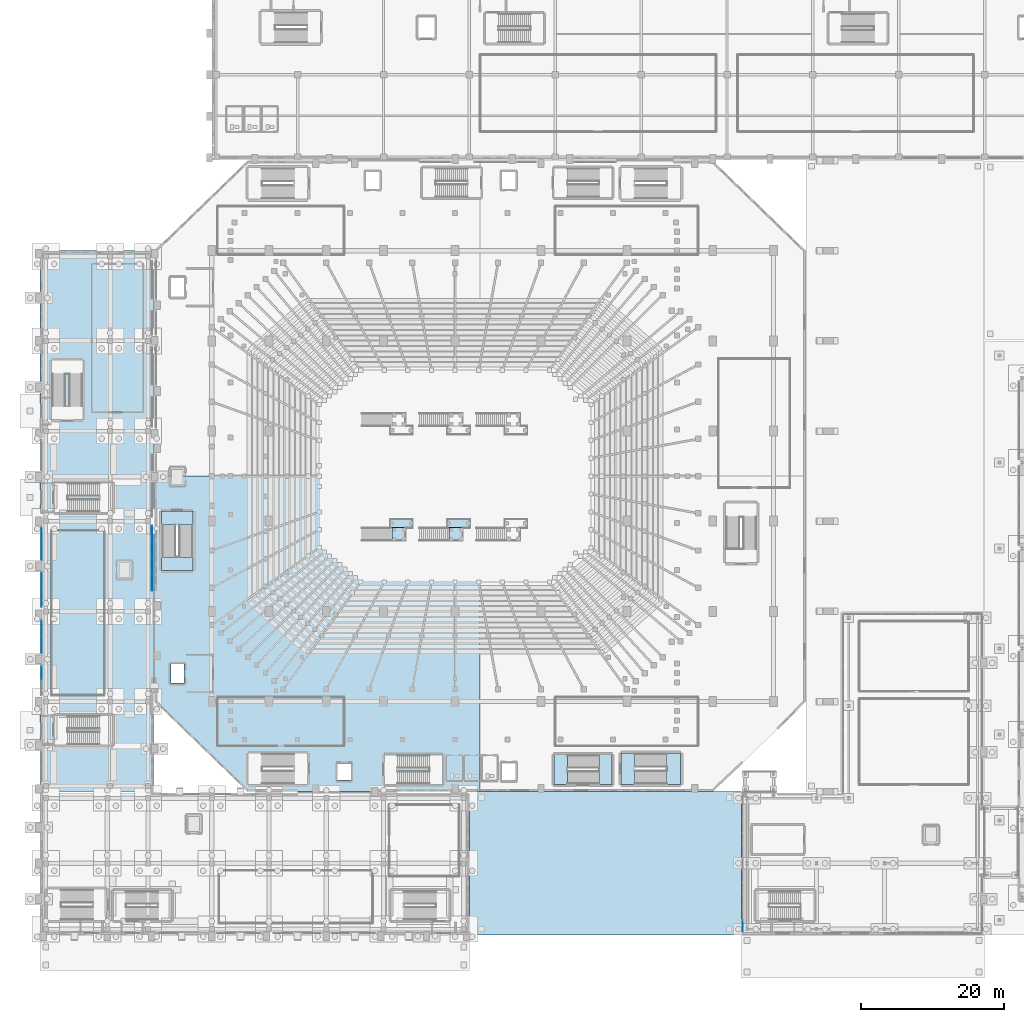
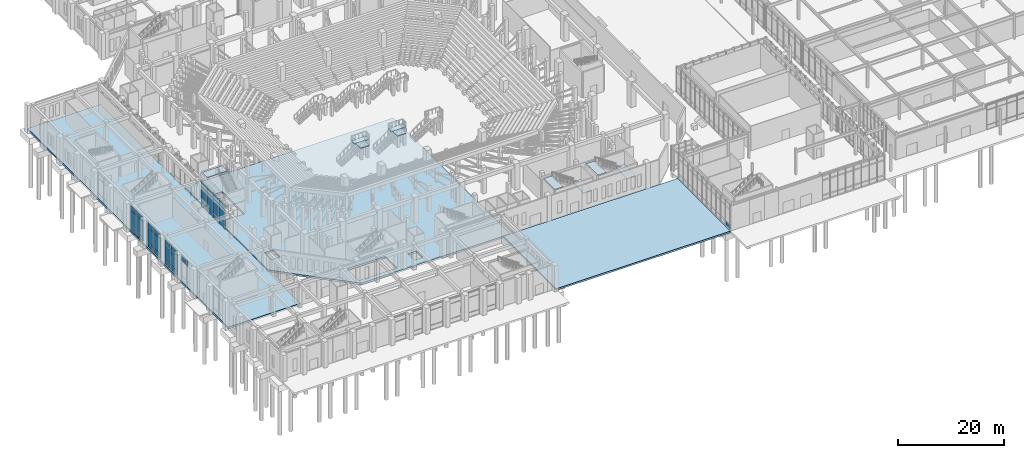
# One storey, part 79 of 143: 32 plates, 13 slabs, 11 elements without a shape of their own.
"""IFC4 building model written with IfcOpenShell, lengths in metres."""

from ifc_helpers import new_model, si_unit, derived_unit, direction, frame, origin, origin_2d, place, context, subcontext, project, spatial, polyline, rectangle, outline, extrude, material, layer, layer_set, type_object, element, aggregate, save


model = new_model("IFC4")

# Units and contexts
model_context = context("Model", 3, precision=1e-05, world=origin(), true_north=direction((0.0, 1.0)))
body_context = subcontext(model_context, "Body", "Model", "MODEL_VIEW")
ifc_project = project(units=[si_unit("LENGTHUNIT", "METRE"), si_unit("AREAUNIT", "SQUARE_METRE"), si_unit("VOLUMEUNIT", "CUBIC_METRE"), si_unit("PLANEANGLEUNIT", "RADIAN"), si_unit("MASSUNIT", "GRAM", prefix="KILO"), derived_unit("THERMALTRANSMITTANCEUNIT", [(si_unit("MASSUNIT", "GRAM", prefix="KILO"), 1), (si_unit("TIMEUNIT", "SECOND"), -3), (si_unit("THERMODYNAMICTEMPERATUREUNIT", "KELVIN"), -1)])], contexts=[model_context])

# Site, building, storey
site_placement = place(None, origin())
site = spatial("IfcSite", under=ifc_project, at=site_placement, CompositionType="ELEMENT")
building_placement = place(site_placement, origin())
building = spatial("IfcBuilding", under=site, at=building_placement, Name="Valcora Ridge Arena", CompositionType="ELEMENT")
storey_placement = place(building_placement, origin())
storey = spatial("IfcBuildingStorey", under=building, at=storey_placement, Name="L00", CompositionType="ELEMENT", Elevation=0.0)

# Stair, slabs
ifc_material_1 = material(Name="Concrete C40/50", Category="concrete")
stair_type_1 = type_object("IfcStairType", Name="TY-STAIR-ES02-60", PredefinedType="HALF_TURN_STAIR", material=ifc_material_1)
stair_1_placement = place(storey_placement, origin())
stair_1 = element("IfcStair", 1, at=stair_1_placement, inside=storey, type_object=stair_type_1, Name="ES02-60 STR-ES-0005", PredefinedType="HALF_TURN_STAIR")
ifc_layer_1 = layer(ifc_material_1, 0.199951171875, Name="Concrete C40/50")
ifc_layer_set_1 = layer_set([ifc_layer_1], Name="Concrete C40/50")
slab_type_1 = type_object("IfcSlabType", Name="TY-LAND-ES02-60", PredefinedType="LANDING", material=ifc_layer_set_1)
slab_1_placement = place(storey_placement, frame((0.0, 0.0, 2.800048828125)))
slab_1 = element("IfcSlab", 2, at=slab_1_placement, type_object=slab_type_1, Name="ES02-60 landing 1", PredefinedType="LANDING", context=body_context, shape_type="SweptSolid", body=[
    extrude(outline(polyline([(78.1201171875, 21.001953125), (79.9580078125, 21.001953125), (79.9580078125, 25.197998046875), (78.1201171875, 25.197998046875), (78.1201171875, 21.001953125)])), origin(), (0.0, 0.0, 1.0), 0.199951171875),
])
slab_2_placement = place(storey_placement, frame((0.0, 0.0, 5.800048828125)))
slab_2 = element("IfcSlab", 3, at=slab_2_placement, type_object=slab_type_1, Name="ES02-60 landing 2", PredefinedType="LANDING", context=body_context, shape_type="SweptSolid", body=[
    extrude(outline(polyline([(71.802001953125, 21.001953125), (73.679931640625, 21.001953125), (73.679931640625, 25.197998046875), (71.802001953125, 25.197998046875), (71.802001953125, 21.001953125)])), origin(), (0.0, 0.0, 1.0), 0.199951171875),
])
aggregate(stair_1, [slab_1, slab_2])

stair_type_2 = type_object("IfcStairType", Name="TY-STAIR-ST02-60", PredefinedType="HALF_TURN_STAIR", material=ifc_material_1)
stair_2_placement = place(storey_placement, origin())
stair_2 = element("IfcStair", 4, at=stair_2_placement, inside=storey, type_object=stair_type_2, Name="ST02-60 STR-CR-0008", PredefinedType="HALF_TURN_STAIR")
ifc_layer_2 = layer(ifc_material_1, 0.199951171875, Name="Concrete C40/50")
ifc_layer_set_2 = layer_set([ifc_layer_2], Name="Concrete C40/50")
slab_type_2 = type_object("IfcSlabType", Name="TY-LAND-ST02-60", PredefinedType="LANDING", material=ifc_layer_set_2)
slab_3_placement = place(storey_placement, frame((0.0, 0.0, 2.800048828125)))
slab_3 = element("IfcSlab", 5, at=slab_3_placement, type_object=slab_type_2, Name="ST02-60 landing 1", PredefinedType="LANDING", context=body_context, shape_type="SweptSolid", body=[
    extrude(outline(polyline([(87.570068359375, 21.001953125), (89.51806640625, 21.001953125), (89.51806640625, 25.39794921875), (87.570068359375, 25.39794921875), (87.570068359375, 21.001953125)])), origin(), (0.0, 0.0, 1.0), 0.199951171875),
])
slab_4_placement = place(storey_placement, frame((0.0, 0.0, 5.800048828125)))
slab_4 = element("IfcSlab", 6, at=slab_4_placement, type_object=slab_type_2, Name="ST02-60 landing 2", PredefinedType="LANDING", context=body_context, shape_type="SweptSolid", body=[
    extrude(outline(polyline([(81.201904296875, 21.001953125), (83.1298828125, 21.001953125), (83.1298828125, 25.39794921875), (81.201904296875, 25.39794921875), (81.201904296875, 21.001953125)])), origin(), (0.0, 0.0, 1.0), 0.199951171875),
])
aggregate(stair_2, [slab_3, slab_4])

stair_type_3 = type_object("IfcStairType", Name="TY-STAIR-ST05-60", PredefinedType="HALF_TURN_STAIR", material=ifc_material_1)
stair_3_placement = place(storey_placement, origin())
stair_3 = element("IfcStair", 7, at=stair_3_placement, inside=storey, type_object=stair_type_3, Name="ST05-60 STR-CR-0024", PredefinedType="HALF_TURN_STAIR")
ifc_layer_3 = layer(ifc_material_1, 0.199951171875, Name="Concrete C40/50")
ifc_layer_set_3 = layer_set([ifc_layer_3], Name="Concrete C40/50")
slab_type_3 = type_object("IfcSlabType", Name="TY-LAND-ST05-60", PredefinedType="LANDING", material=ifc_layer_set_3)
slab_5_placement = place(storey_placement, frame((0.0, 0.0, 2.800048828125)))
slab_5 = element("IfcSlab", 8, at=slab_5_placement, type_object=slab_type_3, Name="ST05-60 landing 1", PredefinedType="LANDING", context=body_context, shape_type="SweptSolid", body=[
    extrude(outline(polyline([(17.001953125, 50.882080078125), (21.39794921875, 50.882080078125), (21.39794921875, 52.830078125), (17.001953125, 52.830078125), (17.001953125, 50.882080078125)])), origin(), (0.0, 0.0, 1.0), 0.199951171875),
])
slab_6_placement = place(storey_placement, frame((0.0, 0.0, 5.800048828125)))
slab_6 = element("IfcSlab", 9, at=slab_6_placement, type_object=slab_type_3, Name="ST05-60 landing 2", PredefinedType="LANDING", context=body_context, shape_type="SweptSolid", body=[
    extrude(outline(polyline([(17.001953125, 57.27001953125), (21.39794921875, 57.27001953125), (21.39794921875, 59.197998046875), (17.001953125, 59.197998046875), (17.001953125, 57.27001953125)])), origin(), (0.0, 0.0, 1.0), 0.199951171875),
])
aggregate(stair_3, [slab_5, slab_6])

# Stair, slab
stair_type_4 = type_object("IfcStairType", Name="TY-STAIR-VS-LOW-280", PredefinedType="STRAIGHT_RUN_STAIR", material=ifc_material_1)
stair_4_placement = place(storey_placement, origin())
stair_4 = element("IfcStair", 10, at=stair_4_placement, inside=storey, type_object=stair_type_4, Name="Vomitory Stair VS-ST1 (VS-LOW-280)", PredefinedType="STRAIGHT_RUN_STAIR")
ifc_layer_4 = layer(ifc_material_1, 0.199951171875, Name="Concrete C40/50")
ifc_layer_set_4 = layer_set([ifc_layer_4], Name="Concrete C40/50")
slab_type_4 = type_object("IfcSlabType", Name="TY-LAND-VS-LOW", PredefinedType="LANDING", material=ifc_layer_set_4)
slab_7_placement = place(storey_placement, frame((0.0, 0.0, 2.60009765625)))
slab_7 = element("IfcSlab", 11, at=slab_7_placement, type_object=slab_type_4, Name="VS-LOW-280 landing 1", PredefinedType="LANDING", context=body_context, shape_type="SweptSolid", body=[
    extrude(outline(polyline([(49.179931640625, 55.10009765625), (51.10009765625, 55.10009765625), (51.10009765625, 56.89990234375), (49.179931640625, 56.89990234375), (49.179931640625, 55.10009765625)])), origin(), (0.0, 0.0, 1.0), 0.199951171875),
])
aggregate(stair_4, [slab_7])

stair_5_placement = place(storey_placement, origin())
stair_5 = element("IfcStair", 12, at=stair_5_placement, inside=storey, type_object=stair_type_4, Name="Vomitory Stair VS-ST2 (VS-LOW-280)", PredefinedType="STRAIGHT_RUN_STAIR")
slab_8_placement = place(storey_placement, frame((0.0, 0.0, 2.60009765625)))
slab_8 = element("IfcSlab", 13, at=slab_8_placement, type_object=slab_type_4, Name="VS-LOW-280 landing 1", PredefinedType="LANDING", context=body_context, shape_type="SweptSolid", body=[
    extrude(outline(polyline([(57.179931640625, 55.10009765625), (59.10009765625, 55.10009765625), (59.10009765625, 56.89990234375), (57.179931640625, 56.89990234375), (57.179931640625, 55.10009765625)])), origin(), (0.0, 0.0, 1.0), 0.199951171875),
])
aggregate(stair_5, [slab_8])

# Curtain wall, plate
ifc_material_2 = material(Name="Anodised dark bronze architectural aluminium 6063-T6", Category="aluminium")
ifc_layer_5 = layer(ifc_material_2, 0.179931640625, Name="Anodised dark bronze architectural aluminium 6063-T6")
ifc_layer_set_5 = layer_set([ifc_layer_5], Name="Anodised dark bronze architectural aluminium 6063-T6")
curtain_wall_type_1 = type_object("IfcCurtainWallType", Name="TY-CURTAINWALL-CW-V3-LANCET-193X56", PredefinedType="NOTDEFINED", material=ifc_layer_set_5)
curtain_wall_1_placement = place(storey_placement, origin())
curtain_wall_1 = element("IfcCurtainWall", 14, at=curtain_wall_1_placement, inside=storey, type_object=curtain_wall_type_1, Name="CW-V3-LANCET-193X56 CW-0010", PredefinedType="NOTDEFINED")
ifc_material_3 = material(Name="Low-iron solar-control double glazing SHGC 0.28", Category="glass")
ifc_layer_6 = layer(ifc_material_3, 0.031982421875, Name="Low-iron solar-control double glazing SHGC 0.28")
ifc_layer_set_6 = layer_set([ifc_layer_6], Name="Low-iron solar-control double glazing SHGC 0.28")
plate_type_1 = type_object("IfcPlateType", Name="TY-PLT-CWP-1665X0960", PredefinedType="CURTAIN_PANEL", material=ifc_layer_set_6)
plate_1_placement = place(storey_placement, frame((98.199951171875, 1.242431640625, 0.06005859375), z_axis=(0.0, 0.0, 1.0), x_axis=(0.0, 1.0, 0.0)))
plate_1 = element("IfcPlate", 15, at=plate_1_placement, type_object=plate_type_1, Name="CW-0010/P00-00", PredefinedType="CURTAIN_PANEL", context=body_context, shape_type="SweptSolid", body=[
    extrude(rectangle(XDim=1.6650390625, YDim=0.031982421875, at=origin_2d()), origin(), (0.0, 0.0, 1.0), 0.9599609375),
])
aggregate(curtain_wall_1, [plate_1])

ifc_layer_7 = layer(ifc_material_2, 0.14990234375, Name="Anodised dark bronze architectural aluminium 6063-T6")
ifc_layer_set_7 = layer_set([ifc_layer_7], Name="Anodised dark bronze architectural aluminium 6063-T6")
curtain_wall_type_2 = type_object("IfcCurtainWallType", Name="TY-CURTAINWALL-CW-V4-CLUB-042X56", PredefinedType="NOTDEFINED", material=ifc_layer_set_7)
curtain_wall_2_placement = place(storey_placement, origin())
curtain_wall_2 = element("IfcCurtainWall", 16, at=curtain_wall_2_placement, inside=storey, type_object=curtain_wall_type_2, Name="CW-V4-CLUB-042X56 CW-0192", PredefinedType="NOTDEFINED")
ifc_layer_8 = layer(ifc_material_3, 0.028076171875, Name="Low-iron solar-control double glazing SHGC 0.28")
ifc_layer_set_8 = layer_set([ifc_layer_8], Name="Low-iron solar-control double glazing SHGC 0.28")
plate_type_2 = type_object("IfcPlateType", Name="TY-PLT-CWP-2035X1025", PredefinedType="CURTAIN_PANEL", material=ifc_layer_set_8)
plate_2_placement = place(storey_placement, frame((0.219970703125, 36.592529296875, 4.56494140625), z_axis=(0.0, 0.0, 1.0), x_axis=(0.0, 1.0, 0.0)))
plate_2 = element("IfcPlate", 17, at=plate_2_placement, type_object=plate_type_2, Name="CW-0192/P01-02", PredefinedType="CURTAIN_PANEL", context=body_context, shape_type="SweptSolid", body=[
    extrude(rectangle(XDim=2.034912109375, YDim=0.028076171875, at=origin_2d()), origin(), (0.0, 0.0, 1.0), 1.02490234375),
])
aggregate(curtain_wall_2, [plate_2])

# Curtain wall, plates
ifc_layer_9 = layer(ifc_material_2, 0.14990234375, Name="Anodised dark bronze architectural aluminium 6063-T6")
ifc_layer_set_9 = layer_set([ifc_layer_9], Name="Anodised dark bronze architectural aluminium 6063-T6")
curtain_wall_type_3 = type_object("IfcCurtainWallType", Name="TY-CURTAINWALL-CW-V4-CLUB-092X56", PredefinedType="NOTDEFINED", material=ifc_layer_set_9)
curtain_wall_3_placement = place(storey_placement, origin())
curtain_wall_3 = element("IfcCurtainWall", 18, at=curtain_wall_3_placement, inside=storey, type_object=curtain_wall_type_3, Name="CW-V4-CLUB-092X56 CW-0197", PredefinedType="NOTDEFINED")
ifc_layer_10 = layer(ifc_material_3, 0.028076171875, Name="Low-iron solar-control double glazing SHGC 0.28")
ifc_layer_set_10 = layer_set([ifc_layer_10], Name="Low-iron solar-control double glazing SHGC 0.28")
plate_type_3 = type_object("IfcPlateType", Name="TY-PLT-CWP-2215X0975", PredefinedType="CURTAIN_PANEL", material=ifc_layer_set_10)
plate_3_placement = place(storey_placement, frame((15.64990234375, 49.20751953125, 0.050048828125), z_axis=(0.0, 0.0, 1.0), x_axis=(0.0, 1.0, 0.0)))
plate_3 = element("IfcPlate", 19, at=plate_3_placement, type_object=plate_type_3, Name="CW-0197/P00-00", PredefinedType="CURTAIN_PANEL", context=body_context, shape_type="SweptSolid", body=[
    extrude(rectangle(XDim=2.215087890625, YDim=0.028076171875, at=origin_2d()), origin(), (0.0, 0.0, 1.0), 0.97509765625),
])
plate_4_placement = place(storey_placement, frame((15.64990234375, 56.052490234375, 0.050048828125), z_axis=(0.0, 0.0, 1.0), x_axis=(0.0, 1.0, 0.0)))
plate_4 = element("IfcPlate", 20, at=plate_4_placement, type_object=plate_type_3, Name="CW-0197/P03-00", PredefinedType="CURTAIN_PANEL", context=body_context, shape_type="SweptSolid", body=[
    extrude(rectangle(XDim=2.215087890625, YDim=0.028076171875, at=origin_2d()), origin(), (0.0, 0.0, 1.0), 0.97509765625),
])
ifc_layer_11 = layer(ifc_material_3, 0.028076171875, Name="Low-iron solar-control double glazing SHGC 0.28")
ifc_layer_set_11 = layer_set([ifc_layer_11], Name="Low-iron solar-control double glazing SHGC 0.28")
plate_type_4 = type_object("IfcPlateType", Name="TY-PLT-CWP-2215X1025", PredefinedType="CURTAIN_PANEL", material=ifc_layer_set_11)
plate_5_placement = place(storey_placement, frame((15.64990234375, 49.20751953125, 4.56494140625), z_axis=(0.0, 0.0, 1.0), x_axis=(0.0, 1.0, 0.0)))
plate_5 = element("IfcPlate", 21, at=plate_5_placement, type_object=plate_type_4, Name="CW-0197/P00-02", PredefinedType="CURTAIN_PANEL", context=body_context, shape_type="SweptSolid", body=[
    extrude(rectangle(XDim=2.215087890625, YDim=0.028076171875, at=origin_2d()), origin(), (0.0, 0.0, 1.0), 1.02490234375),
])
plate_6_placement = place(storey_placement, frame((15.64990234375, 56.052490234375, 4.56494140625), z_axis=(0.0, 0.0, 1.0), x_axis=(0.0, 1.0, 0.0)))
plate_6 = element("IfcPlate", 22, at=plate_6_placement, type_object=plate_type_4, Name="CW-0197/P03-02", PredefinedType="CURTAIN_PANEL", context=body_context, shape_type="SweptSolid", body=[
    extrude(rectangle(XDim=2.215087890625, YDim=0.028076171875, at=origin_2d()), origin(), (0.0, 0.0, 1.0), 1.02490234375),
])
ifc_layer_12 = layer(ifc_material_3, 0.028076171875, Name="Low-iron solar-control double glazing SHGC 0.28")
ifc_layer_set_12 = layer_set([ifc_layer_12], Name="Low-iron solar-control double glazing SHGC 0.28")
plate_type_5 = type_object("IfcPlateType", Name="TY-PLT-CWP-2215X3440", PredefinedType="CURTAIN_PANEL", material=ifc_layer_set_12)
plate_7_placement = place(storey_placement, frame((15.64990234375, 49.20751953125, 1.074951171875), z_axis=(0.0, 0.0, 1.0), x_axis=(0.0, 1.0, 0.0)))
plate_7 = element("IfcPlate", 23, at=plate_7_placement, type_object=plate_type_5, Name="CW-0197/P00-01", PredefinedType="CURTAIN_PANEL", context=body_context, shape_type="SweptSolid", body=[
    extrude(rectangle(XDim=2.215087890625, YDim=0.028076171875, at=origin_2d()), origin(), (0.0, 0.0, 1.0), 3.43994140625),
])
plate_8_placement = place(storey_placement, frame((15.64990234375, 56.052490234375, 1.074951171875), z_axis=(0.0, 0.0, 1.0), x_axis=(0.0, 1.0, 0.0)))
plate_8 = element("IfcPlate", 24, at=plate_8_placement, type_object=plate_type_5, Name="CW-0197/P03-01", PredefinedType="CURTAIN_PANEL", context=body_context, shape_type="SweptSolid", body=[
    extrude(rectangle(XDim=2.215087890625, YDim=0.028076171875, at=origin_2d()), origin(), (0.0, 0.0, 1.0), 3.43994140625),
])

ifc_layer_13 = layer(ifc_material_2, 0.14990234375, Name="Anodised dark bronze architectural aluminium 6063-T6")
ifc_layer_set_13 = layer_set([ifc_layer_13], Name="Anodised dark bronze architectural aluminium 6063-T6")
curtain_wall_type_4 = type_object("IfcCurtainWallType", Name="TY-CURTAINWALL-CW-V4-CLUB-046X56", PredefinedType="NOTDEFINED", material=ifc_layer_set_13)
curtain_wall_4_placement = place(storey_placement, origin())
curtain_wall_4 = element("IfcCurtainWall", 25, at=curtain_wall_4_placement, inside=storey, type_object=curtain_wall_type_4, Name="CW-V4-CLUB-046X56 CW-0193", PredefinedType="NOTDEFINED")
ifc_layer_14 = layer(ifc_material_3, 0.028076171875, Name="Low-iron solar-control double glazing SHGC 0.28")
ifc_layer_set_14 = layer_set([ifc_layer_14], Name="Low-iron solar-control double glazing SHGC 0.28")
plate_type_6 = type_object("IfcPlateType", Name="TY-PLT-CWP-2235X0975", PredefinedType="CURTAIN_PANEL", material=ifc_layer_set_14)
plate_9_placement = place(storey_placement, frame((0.219970703125, 40.507568359375, 0.050048828125), z_axis=(0.0, 0.0, 1.0), x_axis=(0.0, 1.0, 0.0)))
plate_9 = element("IfcPlate", 26, at=plate_9_placement, type_object=plate_type_6, Name="CW-0193/P00-00", PredefinedType="CURTAIN_PANEL", context=body_context, shape_type="SweptSolid", body=[
    extrude(rectangle(XDim=2.235107421875, YDim=0.028076171875, at=origin_2d()), origin(), (0.0, 0.0, 1.0), 0.97509765625),
])
plate_10_placement = place(storey_placement, frame((0.219970703125, 42.79248046875, 0.050048828125), z_axis=(0.0, 0.0, 1.0), x_axis=(0.0, 1.0, 0.0)))
plate_10 = element("IfcPlate", 27, at=plate_10_placement, type_object=plate_type_6, Name="CW-0193/P01-00", PredefinedType="CURTAIN_PANEL", context=body_context, shape_type="SweptSolid", body=[
    extrude(rectangle(XDim=2.235107421875, YDim=0.028076171875, at=origin_2d()), origin(), (0.0, 0.0, 1.0), 0.97509765625),
])

curtain_wall_5_placement = place(storey_placement, origin())
curtain_wall_5 = element("IfcCurtainWall", 28, at=curtain_wall_5_placement, inside=storey, type_object=curtain_wall_type_4, Name="CW-V4-CLUB-046X56 CW-0195", PredefinedType="NOTDEFINED")
plate_11_placement = place(storey_placement, frame((0.219970703125, 53.507568359375, 0.050048828125), z_axis=(0.0, 0.0, 1.0), x_axis=(0.0, 1.0, 0.0)))
plate_11 = element("IfcPlate", 29, at=plate_11_placement, type_object=plate_type_6, Name="CW-0195/P00-00", PredefinedType="CURTAIN_PANEL", context=body_context, shape_type="SweptSolid", body=[
    extrude(rectangle(XDim=2.235107421875, YDim=0.028076171875, at=origin_2d()), origin(), (0.0, 0.0, 1.0), 0.97509765625),
])
plate_12_placement = place(storey_placement, frame((0.219970703125, 55.79248046875, 0.050048828125), z_axis=(0.0, 0.0, 1.0), x_axis=(0.0, 1.0, 0.0)))
plate_12 = element("IfcPlate", 30, at=plate_12_placement, type_object=plate_type_6, Name="CW-0195/P01-00", PredefinedType="CURTAIN_PANEL", context=body_context, shape_type="SweptSolid", body=[
    extrude(rectangle(XDim=2.235107421875, YDim=0.028076171875, at=origin_2d()), origin(), (0.0, 0.0, 1.0), 0.97509765625),
])

# Plate
ifc_layer_15 = layer(ifc_material_3, 0.028076171875, Name="Low-iron solar-control double glazing SHGC 0.28")
ifc_layer_set_15 = layer_set([ifc_layer_15], Name="Low-iron solar-control double glazing SHGC 0.28")
plate_type_7 = type_object("IfcPlateType", Name="TY-PLT-CWP-2235X1025", PredefinedType="CURTAIN_PANEL", material=ifc_layer_set_15)
plate_13_placement = place(storey_placement, frame((0.219970703125, 40.507568359375, 4.56494140625), z_axis=(0.0, 0.0, 1.0), x_axis=(0.0, 1.0, 0.0)))
plate_13 = element("IfcPlate", 31, at=plate_13_placement, type_object=plate_type_7, Name="CW-0193/P00-02", PredefinedType="CURTAIN_PANEL", context=body_context, shape_type="SweptSolid", body=[
    extrude(rectangle(XDim=2.235107421875, YDim=0.028076171875, at=origin_2d()), origin(), (0.0, 0.0, 1.0), 1.02490234375),
])

plate_14_placement = place(storey_placement, frame((0.219970703125, 42.79248046875, 4.56494140625), z_axis=(0.0, 0.0, 1.0), x_axis=(0.0, 1.0, 0.0)))
plate_14 = element("IfcPlate", 32, at=plate_14_placement, type_object=plate_type_7, Name="CW-0193/P01-02", PredefinedType="CURTAIN_PANEL", context=body_context, shape_type="SweptSolid", body=[
    extrude(rectangle(XDim=2.235107421875, YDim=0.028076171875, at=origin_2d()), origin(), (0.0, 0.0, 1.0), 1.02490234375),
])

plate_15_placement = place(storey_placement, frame((0.219970703125, 53.507568359375, 4.56494140625), z_axis=(0.0, 0.0, 1.0), x_axis=(0.0, 1.0, 0.0)))
plate_15 = element("IfcPlate", 33, at=plate_15_placement, type_object=plate_type_7, Name="CW-0195/P00-02", PredefinedType="CURTAIN_PANEL", context=body_context, shape_type="SweptSolid", body=[
    extrude(rectangle(XDim=2.235107421875, YDim=0.028076171875, at=origin_2d()), origin(), (0.0, 0.0, 1.0), 1.02490234375),
])

plate_16_placement = place(storey_placement, frame((0.219970703125, 55.79248046875, 4.56494140625), z_axis=(0.0, 0.0, 1.0), x_axis=(0.0, 1.0, 0.0)))
plate_16 = element("IfcPlate", 34, at=plate_16_placement, type_object=plate_type_7, Name="CW-0195/P01-02", PredefinedType="CURTAIN_PANEL", context=body_context, shape_type="SweptSolid", body=[
    extrude(rectangle(XDim=2.235107421875, YDim=0.028076171875, at=origin_2d()), origin(), (0.0, 0.0, 1.0), 1.02490234375),
])

ifc_layer_16 = layer(ifc_material_3, 0.028076171875, Name="Low-iron solar-control double glazing SHGC 0.28")
ifc_layer_set_16 = layer_set([ifc_layer_16], Name="Low-iron solar-control double glazing SHGC 0.28")
plate_type_8 = type_object("IfcPlateType", Name="TY-PLT-CWP-2235X3440", PredefinedType="CURTAIN_PANEL", material=ifc_layer_set_16)
plate_17_placement = place(storey_placement, frame((0.219970703125, 40.507568359375, 1.074951171875), z_axis=(0.0, 0.0, 1.0), x_axis=(0.0, 1.0, 0.0)))
plate_17 = element("IfcPlate", 35, at=plate_17_placement, type_object=plate_type_8, Name="CW-0193/P00-01", PredefinedType="CURTAIN_PANEL", context=body_context, shape_type="SweptSolid", body=[
    extrude(rectangle(XDim=2.235107421875, YDim=0.028076171875, at=origin_2d()), origin(), (0.0, 0.0, 1.0), 3.43994140625),
])

plate_18_placement = place(storey_placement, frame((0.219970703125, 42.79248046875, 1.074951171875), z_axis=(0.0, 0.0, 1.0), x_axis=(0.0, 1.0, 0.0)))
plate_18 = element("IfcPlate", 36, at=plate_18_placement, type_object=plate_type_8, Name="CW-0193/P01-01", PredefinedType="CURTAIN_PANEL", context=body_context, shape_type="SweptSolid", body=[
    extrude(rectangle(XDim=2.235107421875, YDim=0.028076171875, at=origin_2d()), origin(), (0.0, 0.0, 1.0), 3.43994140625),
])

aggregate(curtain_wall_4, [plate_9, plate_17, plate_13, plate_10, plate_18, plate_14])

plate_19_placement = place(storey_placement, frame((0.219970703125, 53.507568359375, 1.074951171875), z_axis=(0.0, 0.0, 1.0), x_axis=(0.0, 1.0, 0.0)))
plate_19 = element("IfcPlate", 37, at=plate_19_placement, type_object=plate_type_8, Name="CW-0195/P00-01", PredefinedType="CURTAIN_PANEL", context=body_context, shape_type="SweptSolid", body=[
    extrude(rectangle(XDim=2.235107421875, YDim=0.028076171875, at=origin_2d()), origin(), (0.0, 0.0, 1.0), 3.43994140625),
])

plate_20_placement = place(storey_placement, frame((0.219970703125, 55.79248046875, 1.074951171875), z_axis=(0.0, 0.0, 1.0), x_axis=(0.0, 1.0, 0.0)))
plate_20 = element("IfcPlate", 38, at=plate_20_placement, type_object=plate_type_8, Name="CW-0195/P01-01", PredefinedType="CURTAIN_PANEL", context=body_context, shape_type="SweptSolid", body=[
    extrude(rectangle(XDim=2.235107421875, YDim=0.028076171875, at=origin_2d()), origin(), (0.0, 0.0, 1.0), 3.43994140625),
])

aggregate(curtain_wall_5, [plate_11, plate_19, plate_15, plate_12, plate_20, plate_16])

ifc_layer_17 = layer(ifc_material_3, 0.028076171875, Name="Low-iron solar-control double glazing SHGC 0.28")
ifc_layer_set_17 = layer_set([ifc_layer_17], Name="Low-iron solar-control double glazing SHGC 0.28")
plate_type_9 = type_object("IfcPlateType", Name="TY-PLT-CWP-2240X0975", PredefinedType="CURTAIN_PANEL", material=ifc_layer_set_17)
plate_21_placement = place(storey_placement, frame((15.64990234375, 51.485107421875, 0.050048828125), z_axis=(0.0, 0.0, 1.0), x_axis=(0.0, 1.0, 0.0)))
plate_21 = element("IfcPlate", 39, at=plate_21_placement, type_object=plate_type_9, Name="CW-0197/P01-00", PredefinedType="CURTAIN_PANEL", context=body_context, shape_type="SweptSolid", body=[
    extrude(rectangle(XDim=2.239990234375, YDim=0.028076171875, at=origin_2d()), origin(), (0.0, 0.0, 1.0), 0.97509765625),
])

plate_22_placement = place(storey_placement, frame((15.64990234375, 53.77490234375, 0.050048828125), z_axis=(0.0, 0.0, 1.0), x_axis=(0.0, 1.0, 0.0)))
plate_22 = element("IfcPlate", 40, at=plate_22_placement, type_object=plate_type_9, Name="CW-0197/P02-00", PredefinedType="CURTAIN_PANEL", context=body_context, shape_type="SweptSolid", body=[
    extrude(rectangle(XDim=2.239990234375, YDim=0.028076171875, at=origin_2d()), origin(), (0.0, 0.0, 1.0), 0.97509765625),
])

ifc_layer_18 = layer(ifc_material_3, 0.028076171875, Name="Low-iron solar-control double glazing SHGC 0.28")
ifc_layer_set_18 = layer_set([ifc_layer_18], Name="Low-iron solar-control double glazing SHGC 0.28")
plate_type_10 = type_object("IfcPlateType", Name="TY-PLT-CWP-2240X1025", PredefinedType="CURTAIN_PANEL", material=ifc_layer_set_18)
plate_23_placement = place(storey_placement, frame((15.64990234375, 51.485107421875, 4.56494140625), z_axis=(0.0, 0.0, 1.0), x_axis=(0.0, 1.0, 0.0)))
plate_23 = element("IfcPlate", 41, at=plate_23_placement, type_object=plate_type_10, Name="CW-0197/P01-02", PredefinedType="CURTAIN_PANEL", context=body_context, shape_type="SweptSolid", body=[
    extrude(rectangle(XDim=2.239990234375, YDim=0.028076171875, at=origin_2d()), origin(), (0.0, 0.0, 1.0), 1.02490234375),
])

plate_24_placement = place(storey_placement, frame((15.64990234375, 53.77490234375, 4.56494140625), z_axis=(0.0, 0.0, 1.0), x_axis=(0.0, 1.0, 0.0)))
plate_24 = element("IfcPlate", 42, at=plate_24_placement, type_object=plate_type_10, Name="CW-0197/P02-02", PredefinedType="CURTAIN_PANEL", context=body_context, shape_type="SweptSolid", body=[
    extrude(rectangle(XDim=2.239990234375, YDim=0.028076171875, at=origin_2d()), origin(), (0.0, 0.0, 1.0), 1.02490234375),
])

ifc_layer_19 = layer(ifc_material_3, 0.028076171875, Name="Low-iron solar-control double glazing SHGC 0.28")
ifc_layer_set_19 = layer_set([ifc_layer_19], Name="Low-iron solar-control double glazing SHGC 0.28")
plate_type_11 = type_object("IfcPlateType", Name="TY-PLT-CWP-2240X3440", PredefinedType="CURTAIN_PANEL", material=ifc_layer_set_19)
plate_25_placement = place(storey_placement, frame((15.64990234375, 51.485107421875, 1.074951171875), z_axis=(0.0, 0.0, 1.0), x_axis=(0.0, 1.0, 0.0)))
plate_25 = element("IfcPlate", 43, at=plate_25_placement, type_object=plate_type_11, Name="CW-0197/P01-01", PredefinedType="CURTAIN_PANEL", context=body_context, shape_type="SweptSolid", body=[
    extrude(rectangle(XDim=2.239990234375, YDim=0.028076171875, at=origin_2d()), origin(), (0.0, 0.0, 1.0), 3.43994140625),
])

plate_26_placement = place(storey_placement, frame((15.64990234375, 53.77490234375, 1.074951171875), z_axis=(0.0, 0.0, 1.0), x_axis=(0.0, 1.0, 0.0)))
plate_26 = element("IfcPlate", 44, at=plate_26_placement, type_object=plate_type_11, Name="CW-0197/P02-01", PredefinedType="CURTAIN_PANEL", context=body_context, shape_type="SweptSolid", body=[
    extrude(rectangle(XDim=2.239990234375, YDim=0.028076171875, at=origin_2d()), origin(), (0.0, 0.0, 1.0), 3.43994140625),
])

aggregate(curtain_wall_3, [plate_3, plate_7, plate_5, plate_21, plate_25, plate_23, plate_22, plate_26, plate_24, plate_4, plate_8, plate_6])

# Curtain wall, plates
ifc_layer_20 = layer(ifc_material_2, 0.14990234375, Name="Anodised dark bronze architectural aluminium 6063-T6")
ifc_layer_set_20 = layer_set([ifc_layer_20], Name="Anodised dark bronze architectural aluminium 6063-T6")
curtain_wall_type_5 = type_object("IfcCurtainWallType", Name="TY-CURTAINWALL-CW-V4-CLUB-049X56", PredefinedType="NOTDEFINED", material=ifc_layer_set_20)
curtain_wall_6_placement = place(storey_placement, origin())
curtain_wall_6 = element("IfcCurtainWall", 45, at=curtain_wall_6_placement, inside=storey, type_object=curtain_wall_type_5, Name="CW-V4-CLUB-049X56 CW-0194", PredefinedType="NOTDEFINED")
ifc_layer_21 = layer(ifc_material_3, 0.028076171875, Name="Low-iron solar-control double glazing SHGC 0.28")
ifc_layer_set_21 = layer_set([ifc_layer_21], Name="Low-iron solar-control double glazing SHGC 0.28")
plate_type_12 = type_object("IfcPlateType", Name="TY-PLT-CWP-2360X0975", PredefinedType="CURTAIN_PANEL", material=ifc_layer_set_21)
plate_27_placement = place(storey_placement, frame((0.219970703125, 47.02001953125, 0.050048828125), z_axis=(0.0, 0.0, 1.0), x_axis=(0.0, 1.0, 0.0)))
plate_27 = element("IfcPlate", 46, at=plate_27_placement, type_object=plate_type_12, Name="CW-0194/P00-00", PredefinedType="CURTAIN_PANEL", context=body_context, shape_type="SweptSolid", body=[
    extrude(rectangle(XDim=2.360107421875, YDim=0.028076171875, at=origin_2d()), origin(), (0.0, 0.0, 1.0), 0.97509765625),
])
plate_28_placement = place(storey_placement, frame((0.219970703125, 49.429931640625, 0.050048828125), z_axis=(0.0, 0.0, 1.0), x_axis=(0.0, 1.0, 0.0)))
plate_28 = element("IfcPlate", 47, at=plate_28_placement, type_object=plate_type_12, Name="CW-0194/P01-00", PredefinedType="CURTAIN_PANEL", context=body_context, shape_type="SweptSolid", body=[
    extrude(rectangle(XDim=2.360107421875, YDim=0.028076171875, at=origin_2d()), origin(), (0.0, 0.0, 1.0), 0.97509765625),
])
ifc_layer_22 = layer(ifc_material_3, 0.028076171875, Name="Low-iron solar-control double glazing SHGC 0.28")
ifc_layer_set_22 = layer_set([ifc_layer_22], Name="Low-iron solar-control double glazing SHGC 0.28")
plate_type_13 = type_object("IfcPlateType", Name="TY-PLT-CWP-2360X1025", PredefinedType="CURTAIN_PANEL", material=ifc_layer_set_22)
plate_29_placement = place(storey_placement, frame((0.219970703125, 47.02001953125, 4.56494140625), z_axis=(0.0, 0.0, 1.0), x_axis=(0.0, 1.0, 0.0)))
plate_29 = element("IfcPlate", 48, at=plate_29_placement, type_object=plate_type_13, Name="CW-0194/P00-02", PredefinedType="CURTAIN_PANEL", context=body_context, shape_type="SweptSolid", body=[
    extrude(rectangle(XDim=2.360107421875, YDim=0.028076171875, at=origin_2d()), origin(), (0.0, 0.0, 1.0), 1.02490234375),
])
plate_30_placement = place(storey_placement, frame((0.219970703125, 49.429931640625, 4.56494140625), z_axis=(0.0, 0.0, 1.0), x_axis=(0.0, 1.0, 0.0)))
plate_30 = element("IfcPlate", 49, at=plate_30_placement, type_object=plate_type_13, Name="CW-0194/P01-02", PredefinedType="CURTAIN_PANEL", context=body_context, shape_type="SweptSolid", body=[
    extrude(rectangle(XDim=2.360107421875, YDim=0.028076171875, at=origin_2d()), origin(), (0.0, 0.0, 1.0), 1.02490234375),
])
ifc_layer_23 = layer(ifc_material_3, 0.028076171875, Name="Low-iron solar-control double glazing SHGC 0.28")
ifc_layer_set_23 = layer_set([ifc_layer_23], Name="Low-iron solar-control double glazing SHGC 0.28")
plate_type_14 = type_object("IfcPlateType", Name="TY-PLT-CWP-2360X3440", PredefinedType="CURTAIN_PANEL", material=ifc_layer_set_23)
plate_31_placement = place(storey_placement, frame((0.219970703125, 47.02001953125, 1.074951171875), z_axis=(0.0, 0.0, 1.0), x_axis=(0.0, 1.0, 0.0)))
plate_31 = element("IfcPlate", 50, at=plate_31_placement, type_object=plate_type_14, Name="CW-0194/P00-01", PredefinedType="CURTAIN_PANEL", context=body_context, shape_type="SweptSolid", body=[
    extrude(rectangle(XDim=2.360107421875, YDim=0.028076171875, at=origin_2d()), origin(), (0.0, 0.0, 1.0), 3.43994140625),
])
plate_32_placement = place(storey_placement, frame((0.219970703125, 49.429931640625, 1.074951171875), z_axis=(0.0, 0.0, 1.0), x_axis=(0.0, 1.0, 0.0)))
plate_32 = element("IfcPlate", 51, at=plate_32_placement, type_object=plate_type_14, Name="CW-0194/P01-01", PredefinedType="CURTAIN_PANEL", context=body_context, shape_type="SweptSolid", body=[
    extrude(rectangle(XDim=2.360107421875, YDim=0.028076171875, at=origin_2d()), origin(), (0.0, 0.0, 1.0), 3.43994140625),
])
aggregate(curtain_wall_6, [plate_27, plate_31, plate_29, plate_28, plate_32, plate_30])

# Slabs
ifc_layer_24 = layer(ifc_material_1, 0.43994140625, Name="Concrete C40/50")
ifc_layer_set_24 = layer_set([ifc_layer_24], Name="Concrete C40/50")
slab_type_5 = type_object("IfcSlabType", Name="TY-SLAB-SL-EVT-380-SW", PredefinedType="FLOOR", material=ifc_layer_set_24)
slab_9_placement = place(storey_placement, frame((0.0, 0.0, -0.43994140625)))
element("IfcSlab", 52, at=slab_9_placement, inside=storey, type_object=slab_type_5, Name="SL-EVT-380-SW SLB-0015", PredefinedType="FLOOR", context=body_context, shape_type="SweptSolid", body=[
    extrude(outline(polyline([(16.0, 64.10009765625), (16.0, 32.60009765625), (29.0, 20.0), (61.5, 20.0), (61.5, 64.10009765625), (16.0, 64.10009765625)]), holes=[polyline([(37.39990234375, 21.0), (37.39990234375, 25.39990234375), (29.080078125, 25.39990234375), (29.080078125, 21.0), (37.39990234375, 21.0)]), polyline([(21.39990234375, 50.8798828125), (21.39990234375, 59.199951171875), (17.0, 59.199951171875), (17.0, 50.8798828125), (21.39990234375, 50.8798828125)]), polyline([(41.580078125, 23.969970703125), (41.580078125, 21.6298828125), (43.419921875, 21.6298828125), (43.419921875, 23.969970703125), (41.580078125, 23.969970703125)]), polyline([(18.280029296875, 37.820068359375), (18.280029296875, 35.179931640625), (20.1201171875, 35.179931640625), (20.1201171875, 37.820068359375), (18.280029296875, 37.820068359375)])]), origin(), (0.0, 0.0, 1.0), 0.43994140625),
])
ifc_layer_25 = layer(ifc_material_1, 0.39990234375, Name="Concrete C40/50")
ifc_layer_set_25 = layer_set([ifc_layer_25], Name="Concrete C40/50")
slab_type_6 = type_object("IfcSlabType", Name="TY-SLAB-SL-FORECOURT-S", PredefinedType="USERDEFINED", material=ifc_layer_set_25)
slab_10_placement = place(storey_placement, frame((0.0, 0.0, -0.39990234375)))
element("IfcSlab", 53, at=slab_10_placement, inside=storey, type_object=slab_type_6, Name="SL-FORECOURT-S SLB-0028", ObjectType="PAVING", PredefinedType="USERDEFINED", context=body_context, shape_type="SweptSolid", body=[
    extrude(outline(polyline([(98.0, 0.0), (98.0, 20.0), (60.0, 20.0), (60.0, 0.0), (98.0, 0.0)])), origin(), (0.0, 0.0, 1.0), 0.39990234375),
])
ifc_layer_26 = layer(ifc_material_1, 0.449951171875, Name="Concrete C40/50")
ifc_layer_set_26 = layer_set([ifc_layer_26], Name="Concrete C40/50")
slab_type_7 = type_object("IfcSlabType", Name="TY-SLAB-SL-SOG-V4W", PredefinedType="BASESLAB", material=ifc_layer_set_26)
slab_11_placement = place(storey_placement, frame((0.0, 0.0, -0.449951171875)))
element("IfcSlab", 54, at=slab_11_placement, inside=storey, type_object=slab_type_7, Name="SL-SOG-V4W SLB-0024", PredefinedType="BASESLAB", context=body_context, shape_type="SweptSolid", body=[
    extrude(outline(polyline([(15.85009765625, 20.0), (15.85009765625, 95.60009765625), (0.0, 95.60009765625), (0.0, 20.0), (15.85009765625, 20.0)])), origin(), (0.0, 0.0, 1.0), 0.449951171875),
])
ifc_material_4 = material(Name="Precast concrete C45/55", Category="concrete")
ifc_layer_27 = layer(ifc_material_4, 0.199951171875, Name="Precast concrete C45/55")
ifc_layer_set_27 = layer_set([ifc_layer_27], Name="Precast concrete C45/55")
slab_type_8 = type_object("IfcSlabType", Name="TY-SLAB-ST-LOW-VOM", PredefinedType="USERDEFINED", material=ifc_layer_set_27)
slab_12_placement = place(storey_placement, frame((0.0, 0.0, 2.60009765625)))
element("IfcSlab", 55, at=slab_12_placement, inside=storey, type_object=slab_type_8, Name="ST-LOW-VOM SLB-TR-0593", ObjectType="SEATING TIER", PredefinedType="USERDEFINED", context=body_context, shape_type="SweptSolid", body=[
    extrude(outline(polyline([(48.89990234375, 56.89990234375), (52.10009765625, 56.89990234375), (52.10009765625, 58.10009765625), (48.89990234375, 58.10009765625), (48.89990234375, 56.89990234375)])), origin(), (0.0, 0.0, 1.0), 0.199951171875),
])
slab_13_placement = place(storey_placement, frame((0.0, 0.0, 2.60009765625)))
element("IfcSlab", 56, at=slab_13_placement, inside=storey, type_object=slab_type_8, Name="ST-LOW-VOM SLB-TR-0594", ObjectType="SEATING TIER", PredefinedType="USERDEFINED", context=body_context, shape_type="SweptSolid", body=[
    extrude(outline(polyline([(56.89990234375, 56.89990234375), (60.10009765625, 56.89990234375), (60.10009765625, 58.10009765625), (56.89990234375, 58.10009765625), (56.89990234375, 56.89990234375)])), origin(), (0.0, 0.0, 1.0), 0.199951171875),
])

save(model, "model.ifc")
